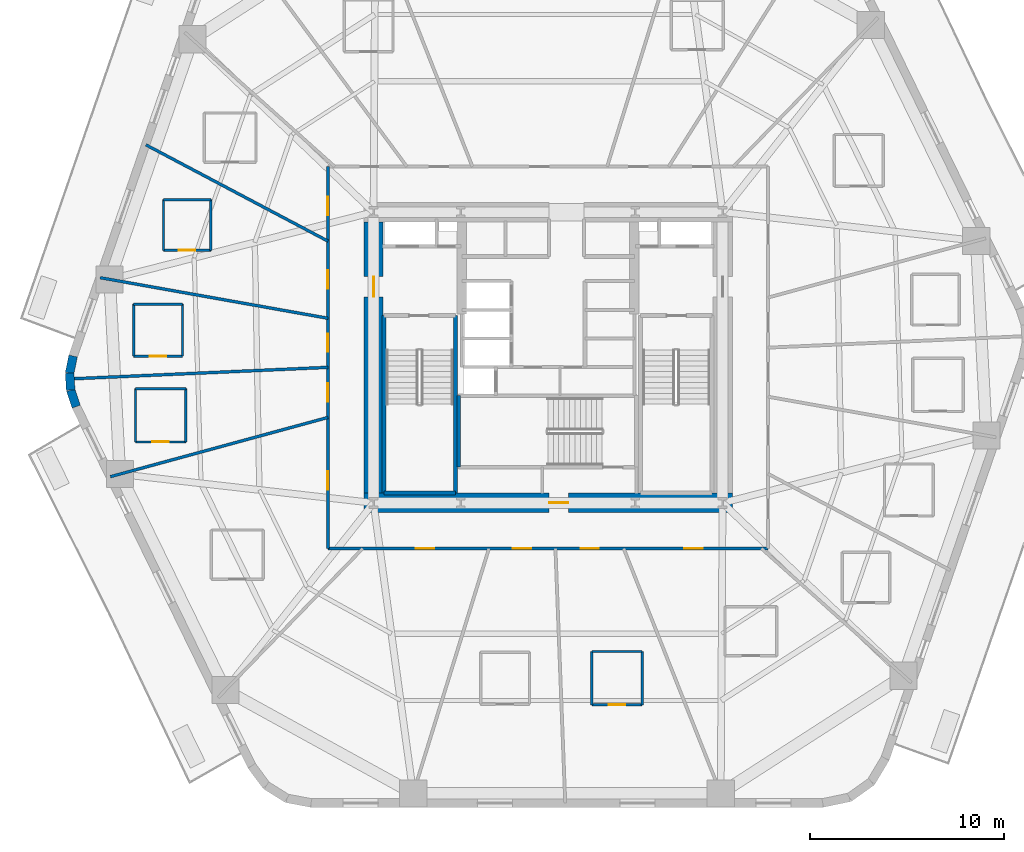
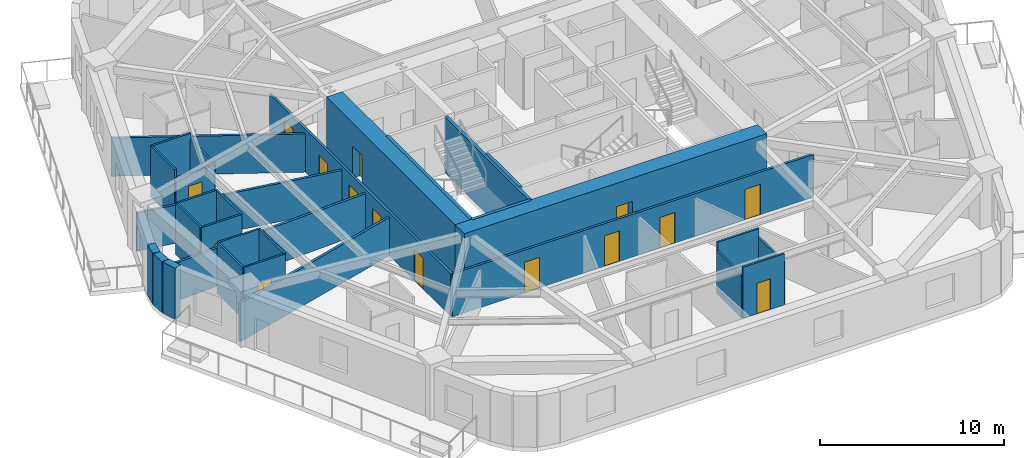
# One storey, part 3 of 10: 31 walls, 15 doors, 15 openings.
"""IFC4 building model written with IfcOpenShell, lengths in metres."""

from ifc_helpers import new_model, si_unit, direction, frame, frame_2d, origin, place, context, subcontext, project, spatial, rectangle, extrude, material, layer, layer_set, type_object, element, fill, save


model = new_model("IFC4")

# Units and contexts
model_context = context("Model", 3, precision=1e-05, world=origin(), true_north=direction((0.0, 1.0)))
body_context = subcontext(model_context, "Body", "Model", "MODEL_VIEW")
ifc_project = project(units=[si_unit("LENGTHUNIT", "METRE"), si_unit("AREAUNIT", "SQUARE_METRE"), si_unit("VOLUMEUNIT", "CUBIC_METRE"), si_unit("PLANEANGLEUNIT", "RADIAN"), si_unit("MASSUNIT", "GRAM", prefix="KILO")], contexts=[model_context])

# Site, building, storey
site_placement = place(None, origin())
site = spatial("IfcSite", under=ifc_project, at=site_placement, CompositionType="ELEMENT")
building_placement = place(site_placement, origin())
building = spatial("IfcBuilding", under=site, at=building_placement, Name="Kilnhurst Terrace Hotel", CompositionType="ELEMENT")
storey_placement = place(building_placement, frame((0.0, 0.0, 52.699951171875)))
storey = spatial("IfcBuildingStorey", under=building, at=storey_placement, Name="L11", CompositionType="ELEMENT", Elevation=52.699951171875)

# Walls
ifc_material_1 = material(Name="Precast concrete C40/50", Category="concrete")
ifc_layer_1 = layer(ifc_material_1, 0.449951171875, Name="Precast concrete C40/50")
ifc_layer_set_1 = layer_set([ifc_layer_1], Name="Precast concrete C40/50")
wall_type_1 = type_object("IfcWallType", Name="WL-BRK-450", PredefinedType="SOLIDWALL", material=ifc_layer_set_1)
wall_1_placement = place(storey_placement, frame((-24.49560546875, 0.07666015625, 0.0), z_axis=(0.0, 0.0, 1.0), x_axis=(-0.199570594521, -0.979883451132, 0.0)))
element("IfcWall", 1, at=wall_1_placement, inside=storey, type_object=wall_type_1, Name="L11 Rounded Corner Brick Wall C6.1", PredefinedType="SOLIDWALL", context=body_context, shape_type="SweptSolid", body=[
    extrude(rectangle(XDim=0.896728515625, YDim=0.449951171875, at=frame_2d((0.4482421875, 0.0))), origin(), (0.0, 0.0, 1.0), 3.400146484375),
])
wall_2_placement = place(storey_placement, frame((-24.674560546875, -0.802001953125, 0.0), z_axis=(0.0, 0.0, 1.0), x_axis=(0.061188874166, -0.998126205286, 0.0)))
element("IfcWall", 2, at=wall_2_placement, inside=storey, type_object=wall_type_1, Name="L11 Rounded Corner Brick Wall C6.2", PredefinedType="SOLIDWALL", context=body_context, shape_type="SweptSolid", body=[
    extrude(rectangle(XDim=0.8818359375, YDim=0.449951171875, at=frame_2d((0.44091796875, 0.0))), origin(), (0.0, 0.0, 1.0), 3.400146484375),
])
wall_3_placement = place(storey_placement, frame((-24.62060546875, -1.68212890625, 0.0), z_axis=(0.0, 0.0, 1.0), x_axis=(0.317697451681, -0.948192137278, 0.0)))
element("IfcWall", 3, at=wall_3_placement, inside=storey, type_object=wall_type_1, Name="L11 Rounded Corner Brick Wall C6.3", PredefinedType="SOLIDWALL", context=body_context, shape_type="SweptSolid", body=[
    extrude(rectangle(XDim=0.896728515625, YDim=0.449951171875, at=frame_2d((0.4482421875, 0.0))), origin(), (0.0, 0.0, 1.0), 3.400146484375),
])

# Wall, openings, doors
ifc_material_2 = material(Name="Acoustic Double-Gypsum Corridor Partition Assembly")
ifc_layer_2 = layer(ifc_material_2, 0.14990234375, Name="Acoustic Double-Gypsum Corridor Partition Assembly")
ifc_layer_set_2 = layer_set([ifc_layer_2], Name="Acoustic Double-Gypsum Corridor Partition Assembly")
wall_type_2 = type_object("IfcWallType", Name="WL-COR-150", PredefinedType="PARTITIONING", material=ifc_layer_set_2)
wall_4_placement = place(storey_placement, frame((-11.35009765625, -9.85009765625, 0.0), z_axis=(0.0, 0.0, 1.0), x_axis=(0.0, 1.0, 0.0)))
wall_4 = element("IfcWall", 4, at=wall_4_placement, inside=storey, type_object=wall_type_2, Name="L11 Interior Wall WL-L11-COR-01", PredefinedType="PARTITIONING", context=body_context, shape_type="SweptSolid", body=[
    extrude(rectangle(XDim=19.7001953125, YDim=0.14990234375, at=frame_2d((9.85009765625, 0.0))), origin(), (0.0, 0.0, 1.0), 2.840087890625),
])
opening_1_placement = place(wall_4_placement, frame((17.180908203125, 0.0, 0.0)))
opening_1 = element("IfcOpeningElement", 5, at=opening_1_placement, cuts=wall_4, Name="Opening D-60B", PredefinedType="OPENING", context=body_context, shape_type="SweptSolid", body=[
    extrude(rectangle(XDim=0.949951171875, YDim=2.030029296875, at=frame_2d((0.47509765625, 1.01513671875))), frame((0.0, 0.0849609375, 0.0), z_axis=(0.0, -1.0, 0.0), x_axis=(1.0, 0.0, 0.0)), (0.0, 0.0, 1.0), 0.169921875),
])
opening_2_placement = place(wall_4_placement, frame((13.403076171875, 0.0, 0.0)))
opening_2 = element("IfcOpeningElement", 6, at=opening_2_placement, cuts=wall_4, Name="Opening D-60B", PredefinedType="OPENING", context=body_context, shape_type="SweptSolid", body=[
    extrude(rectangle(XDim=0.949951171875, YDim=2.030029296875, at=frame_2d((0.47509765625, 1.01513671875))), frame((0.0, 0.0849609375, 0.0), z_axis=(0.0, -1.0, 0.0), x_axis=(1.0, 0.0, 0.0)), (0.0, 0.0, 1.0), 0.169921875),
])
opening_3_placement = place(wall_4_placement, frame((10.134033203125, 0.0, 0.0)))
opening_3 = element("IfcOpeningElement", 7, at=opening_3_placement, cuts=wall_4, Name="Opening D-60B", PredefinedType="OPENING", context=body_context, shape_type="SweptSolid", body=[
    extrude(rectangle(XDim=0.949951171875, YDim=2.030029296875, at=frame_2d((0.47509765625, 1.01513671875))), frame((0.0, 0.0849609375, 0.0), z_axis=(0.0, -1.0, 0.0), x_axis=(1.0, 0.0, 0.0)), (0.0, 0.0, 1.0), 0.169921875),
])
opening_4_placement = place(wall_4_placement, frame((7.571044921875, 0.0, 0.0)))
opening_4 = element("IfcOpeningElement", 8, at=opening_4_placement, cuts=wall_4, Name="Opening D-60B", PredefinedType="OPENING", context=body_context, shape_type="SweptSolid", body=[
    extrude(rectangle(XDim=0.949951171875, YDim=2.030029296875, at=frame_2d((0.47509765625, 1.01513671875))), frame((0.0, 0.0849609375, 0.0), z_axis=(0.0, -1.0, 0.0), x_axis=(1.0, 0.0, 0.0)), (0.0, 0.0, 1.0), 0.169921875),
])
opening_5_placement = place(wall_4_placement, frame((3.02392578125, 0.0, 0.0)))
opening_5 = element("IfcOpeningElement", 9, at=opening_5_placement, cuts=wall_4, Name="Opening D-60B", PredefinedType="OPENING", context=body_context, shape_type="SweptSolid", body=[
    extrude(rectangle(XDim=0.949951171875, YDim=2.030029296875, at=frame_2d((0.47509765625, 1.01513671875))), frame((0.0, 0.0849609375, 0.0), z_axis=(0.0, -1.0, 0.0), x_axis=(1.0, 0.0, 0.0)), (0.0, 0.0, 1.0), 0.169921875),
])
ifc_material_3 = material(Name="Acoustic Walnut Veneer Solid-Core Fire Door")
door_type_1 = type_object("IfcDoorType", Name="DR-FD60-950", OperationType="NOTDEFINED", PredefinedType="DOOR", material=ifc_material_3)
door_1_placement = place(opening_1_placement, origin())
door_1 = element("IfcDoor", 10, at=door_1_placement, inside=storey, type_object=door_type_1, Name="L11 Guest Room Entry Door 8", OperationType="SINGLE_SWING_RIGHT", OverallHeight=2.030029296875, OverallWidth=0.949951171875, PredefinedType="DOOR", context=body_context, shape_type="SweptSolid", body=[
    extrude(rectangle(XDim=0.949951171875, YDim=2.030029296875, at=frame_2d((0.47509765625, 1.01513671875))), frame((0.0, 0.02490234375, 0.0), z_axis=(0.0, -1.0, 0.0), x_axis=(1.0, 0.0, 0.0)), (0.0, 0.0, 1.0), 0.050048828125),
])
fill(opening_1, door_1)
door_2_placement = place(opening_2_placement, origin())
door_2 = element("IfcDoor", 11, at=door_2_placement, inside=storey, type_object=door_type_1, Name="L11 Guest Room Entry Door 9", OperationType="SINGLE_SWING_LEFT", OverallHeight=2.030029296875, OverallWidth=0.949951171875, PredefinedType="DOOR", context=body_context, shape_type="SweptSolid", body=[
    extrude(rectangle(XDim=0.949951171875, YDim=2.030029296875, at=frame_2d((0.47509765625, 1.01513671875))), frame((0.0, 0.02490234375, 0.0), z_axis=(0.0, -1.0, 0.0), x_axis=(1.0, 0.0, 0.0)), (0.0, 0.0, 1.0), 0.050048828125),
])
fill(opening_2, door_2)
door_3_placement = place(opening_3_placement, origin())
door_3 = element("IfcDoor", 12, at=door_3_placement, inside=storey, type_object=door_type_1, Name="L11 Guest Room Entry Door 10", OperationType="SINGLE_SWING_RIGHT", OverallHeight=2.030029296875, OverallWidth=0.949951171875, PredefinedType="DOOR", context=body_context, shape_type="SweptSolid", body=[
    extrude(rectangle(XDim=0.949951171875, YDim=2.030029296875, at=frame_2d((0.47509765625, 1.01513671875))), frame((0.0, 0.02490234375, 0.0), z_axis=(0.0, -1.0, 0.0), x_axis=(1.0, 0.0, 0.0)), (0.0, 0.0, 1.0), 0.050048828125),
])
fill(opening_3, door_3)
door_4_placement = place(opening_4_placement, origin())
door_4 = element("IfcDoor", 13, at=door_4_placement, inside=storey, type_object=door_type_1, Name="L11 Guest Room Entry Door 11", OperationType="SINGLE_SWING_LEFT", OverallHeight=2.030029296875, OverallWidth=0.949951171875, PredefinedType="DOOR", context=body_context, shape_type="SweptSolid", body=[
    extrude(rectangle(XDim=0.949951171875, YDim=2.030029296875, at=frame_2d((0.47509765625, 1.01513671875))), frame((0.0, 0.02490234375, 0.0), z_axis=(0.0, -1.0, 0.0), x_axis=(1.0, 0.0, 0.0)), (0.0, 0.0, 1.0), 0.050048828125),
])
fill(opening_4, door_4)
door_5_placement = place(opening_5_placement, origin())
door_5 = element("IfcDoor", 14, at=door_5_placement, inside=storey, type_object=door_type_1, Name="L11 Executive Suite Entry Door 12", OperationType="SINGLE_SWING_RIGHT", OverallHeight=2.030029296875, OverallWidth=0.949951171875, PredefinedType="DOOR", context=body_context, shape_type="SweptSolid", body=[
    extrude(rectangle(XDim=0.949951171875, YDim=2.030029296875, at=frame_2d((0.47509765625, 1.01513671875))), frame((0.0, 0.02490234375, 0.0), z_axis=(0.0, -1.0, 0.0), x_axis=(1.0, 0.0, 0.0)), (0.0, 0.0, 1.0), 0.050048828125),
])
fill(opening_5, door_5)

wall_5_placement = place(storey_placement, frame((11.35009765625, -9.85009765625, 0.0), z_axis=(0.0, 0.0, 1.0), x_axis=(-1.0, 0.0, 0.0)))
wall_5 = element("IfcWall", 15, at=wall_5_placement, inside=storey, type_object=wall_type_2, Name="L11 Interior Wall WL-L11-COR-04", PredefinedType="PARTITIONING", context=body_context, shape_type="SweptSolid", body=[
    extrude(rectangle(XDim=22.7001953125, YDim=0.14990234375, at=frame_2d((11.35009765625, 0.0))), origin(), (0.0, 0.0, 1.0), 2.840087890625),
])
opening_6_placement = place(wall_5_placement, frame((17.22509765625, 0.0, 0.0)))
opening_6 = element("IfcOpeningElement", 16, at=opening_6_placement, cuts=wall_5, Name="Opening D-60B", PredefinedType="OPENING", context=body_context, shape_type="SweptSolid", body=[
    extrude(rectangle(XDim=0.949951171875, YDim=2.030029296875, at=frame_2d((0.47509765625, 1.01513671875))), frame((0.0, 0.0849609375, 0.0), z_axis=(0.0, -1.0, 0.0), x_axis=(1.0, 0.0, 0.0)), (0.0, 0.0, 1.0), 0.169921875),
])
opening_7_placement = place(wall_5_placement, frame((12.214111328125, 0.0, 0.0)))
opening_7 = element("IfcOpeningElement", 17, at=opening_7_placement, cuts=wall_5, Name="Opening D-60B", PredefinedType="OPENING", context=body_context, shape_type="SweptSolid", body=[
    extrude(rectangle(XDim=0.949951171875, YDim=2.030029296875, at=frame_2d((0.47509765625, 1.01513671875))), frame((0.0, 0.0849609375, 0.0), z_axis=(0.0, -1.0, 0.0), x_axis=(1.0, 0.0, 0.0)), (0.0, 0.0, 1.0), 0.169921875),
])
opening_8_placement = place(wall_5_placement, frame((8.72509765625, 0.0, 0.0)))
opening_8 = element("IfcOpeningElement", 18, at=opening_8_placement, cuts=wall_5, Name="Opening D-60B", PredefinedType="OPENING", context=body_context, shape_type="SweptSolid", body=[
    extrude(rectangle(XDim=0.949951171875, YDim=2.030029296875, at=frame_2d((0.47509765625, 1.01513671875))), frame((0.0, 0.0849609375, 0.0), z_axis=(0.0, -1.0, 0.0), x_axis=(1.0, 0.0, 0.0)), (0.0, 0.0, 1.0), 0.169921875),
])
opening_9_placement = place(wall_5_placement, frame((3.368896484375, 0.0, 0.0)))
opening_9 = element("IfcOpeningElement", 19, at=opening_9_placement, cuts=wall_5, Name="Opening D-60B", PredefinedType="OPENING", context=body_context, shape_type="SweptSolid", body=[
    extrude(rectangle(XDim=0.949951171875, YDim=2.030029296875, at=frame_2d((0.47509765625, 1.01513671875))), frame((0.0, 0.0849609375, 0.0), z_axis=(0.0, -1.0, 0.0), x_axis=(1.0, 0.0, 0.0)), (0.0, 0.0, 1.0), 0.169921875),
])
door_6_placement = place(opening_6_placement, origin())
door_6 = element("IfcDoor", 20, at=door_6_placement, inside=storey, type_object=door_type_1, Name="L11 Private Dining Salon Door", OperationType="SINGLE_SWING_LEFT", OverallHeight=2.030029296875, OverallWidth=0.949951171875, PredefinedType="DOOR", context=body_context, shape_type="SweptSolid", body=[
    extrude(rectangle(XDim=0.949951171875, YDim=2.030029296875, at=frame_2d((0.47509765625, 1.01513671875))), frame((0.0, 0.02490234375, 0.0), z_axis=(0.0, -1.0, 0.0), x_axis=(1.0, 0.0, 0.0)), (0.0, 0.0, 1.0), 0.050048828125),
])
fill(opening_6, door_6)
door_7_placement = place(opening_7_placement, origin())
door_7 = element("IfcDoor", 21, at=door_7_placement, inside=storey, type_object=door_type_1, Name="L11 Guest Room Entry Door 14", OperationType="SINGLE_SWING_RIGHT", OverallHeight=2.030029296875, OverallWidth=0.949951171875, PredefinedType="DOOR", context=body_context, shape_type="SweptSolid", body=[
    extrude(rectangle(XDim=0.949951171875, YDim=2.030029296875, at=frame_2d((0.47509765625, 1.01513671875))), frame((0.0, 0.02490234375, 0.0), z_axis=(0.0, -1.0, 0.0), x_axis=(1.0, 0.0, 0.0)), (0.0, 0.0, 1.0), 0.050048828125),
])
fill(opening_7, door_7)
door_8_placement = place(opening_8_placement, origin())
door_8 = element("IfcDoor", 22, at=door_8_placement, inside=storey, type_object=door_type_1, Name="L11 Guest Room Entry Door 15", OperationType="SINGLE_SWING_LEFT", OverallHeight=2.030029296875, OverallWidth=0.949951171875, PredefinedType="DOOR", context=body_context, shape_type="SweptSolid", body=[
    extrude(rectangle(XDim=0.949951171875, YDim=2.030029296875, at=frame_2d((0.47509765625, 1.01513671875))), frame((0.0, 0.02490234375, 0.0), z_axis=(0.0, -1.0, 0.0), x_axis=(1.0, 0.0, 0.0)), (0.0, 0.0, 1.0), 0.050048828125),
])
fill(opening_8, door_8)
door_9_placement = place(opening_9_placement, origin())
door_9 = element("IfcDoor", 23, at=door_9_placement, inside=storey, type_object=door_type_1, Name="L11 Executive Suite Entry Door 16", OperationType="SINGLE_SWING_RIGHT", OverallHeight=2.030029296875, OverallWidth=0.949951171875, PredefinedType="DOOR", context=body_context, shape_type="SweptSolid", body=[
    extrude(rectangle(XDim=0.949951171875, YDim=2.030029296875, at=frame_2d((0.47509765625, 1.01513671875))), frame((0.0, 0.02490234375, 0.0), z_axis=(0.0, -1.0, 0.0), x_axis=(1.0, 0.0, 0.0)), (0.0, 0.0, 1.0), 0.050048828125),
])
fill(opening_9, door_9)

# Wall, opening, door
ifc_material_4 = material(Name="Concrete C80/95", Category="concrete")
ifc_layer_3 = layer(ifc_material_4, 1.0, Name="Concrete C80/95")
ifc_layer_set_3 = layer_set([ifc_layer_3], Name="Concrete C80/95")
wall_type_3 = type_object("IfcWallType", Name="WL-CORE-1000", PredefinedType="SHEAR", material=ifc_layer_set_3)
wall_6_placement = place(storey_placement, frame((-9.5, -7.5, 0.0), z_axis=(0.0, 0.0, 1.0), x_axis=(1.0, 0.0, 0.0)))
wall_6 = element("IfcWall", 24, at=wall_6_placement, inside=storey, type_object=wall_type_3, Name="L11 Core South Shear Wall", PredefinedType="SHEAR", context=body_context, shape_type="SweptSolid", body=[
    extrude(rectangle(XDim=19.0, YDim=1.0, at=frame_2d((9.5, 0.0))), origin(), (0.0, 0.0, 1.0), 3.699951171875),
])
opening_10_placement = place(wall_6_placement, frame((9.550048828125, 0.0, 0.0)))
opening_10 = element("IfcOpeningElement", 25, at=opening_10_placement, cuts=wall_6, Name="Opening D-90B", PredefinedType="OPENING", context=body_context, shape_type="SweptSolid", body=[
    extrude(rectangle(XDim=1.0, YDim=2.14990234375, at=frame_2d((0.5, 1.074951171875))), frame((0.0, 0.510009765625, 0.0), z_axis=(0.0, -1.0, 0.0), x_axis=(1.0, 0.0, 0.0)), (0.0, 0.0, 1.0), 1.02001953125),
])
ifc_material_5 = material(Name="Painted Hollow Metal Steel ASTM A36 Fire Door", Category="steel")
door_type_2 = type_object("IfcDoorType", Name="DR-FD90-1000", OperationType="NOTDEFINED", PredefinedType="DOOR", material=ifc_material_5)
door_10_placement = place(opening_10_placement, origin())
door_10 = element("IfcDoor", 26, at=door_10_placement, inside=storey, type_object=door_type_2, Name="L11 Stair ST-3 Corridor Door", OperationType="SINGLE_SWING_RIGHT", OverallHeight=2.14990234375, OverallWidth=1.0, PredefinedType="DOOR", context=body_context, shape_type="SweptSolid", body=[
    extrude(rectangle(XDim=1.0, YDim=2.14990234375, at=frame_2d((0.5, 1.074951171875))), frame((0.0, 0.02490234375, 0.0), z_axis=(0.0, -1.0, 0.0), x_axis=(1.0, 0.0, 0.0)), (0.0, 0.0, 1.0), 0.050048828125),
])
fill(opening_10, door_10)

wall_7_placement = place(storey_placement, frame((-9.0, -7.0, 0.0), z_axis=(0.0, 0.0, 1.0), x_axis=(0.0, 1.0, 0.0)))
wall_7 = element("IfcWall", 27, at=wall_7_placement, inside=storey, type_object=wall_type_3, Name="L11 Core West Shear Wall", PredefinedType="SHEAR", context=body_context, shape_type="SweptSolid", body=[
    extrude(rectangle(XDim=14.0, YDim=1.0, at=frame_2d((7.0, 0.0))), origin(), (0.0, 0.0, 1.0), 3.699951171875),
])
opening_11_placement = place(wall_7_placement, frame((10.125, 0.0, 0.0)))
opening_11 = element("IfcOpeningElement", 28, at=opening_11_placement, cuts=wall_7, Name="Opening D-90A", PredefinedType="OPENING", context=body_context, shape_type="SweptSolid", body=[
    extrude(rectangle(XDim=1.050048828125, YDim=2.14990234375, at=frame_2d((0.52490234375, 1.074951171875))), frame((0.0, 0.510009765625, 0.0), z_axis=(0.0, -1.0, 0.0), x_axis=(1.0, 0.0, 0.0)), (0.0, 0.0, 1.0), 1.02001953125),
])
door_type_3 = type_object("IfcDoorType", Name="DR-FD90-1050", OperationType="NOTDEFINED", PredefinedType="DOOR", material=ifc_material_5)
door_11_placement = place(opening_11_placement, origin())
door_11 = element("IfcDoor", 29, at=door_11_placement, inside=storey, type_object=door_type_3, Name="L11 West Firefighting Lobby Door", OperationType="SINGLE_SWING_RIGHT", OverallHeight=2.14990234375, OverallWidth=1.050048828125, PredefinedType="DOOR", context=body_context, shape_type="SweptSolid", body=[
    extrude(rectangle(XDim=1.050048828125, YDim=2.14990234375, at=frame_2d((0.52490234375, 1.074951171875))), frame((0.0, 0.02490234375, 0.0), z_axis=(0.0, -1.0, 0.0), x_axis=(1.0, 0.0, 0.0)), (0.0, 0.0, 1.0), 0.050048828125),
])
fill(opening_11, door_11)

# Walls
ifc_material_6 = material(Name="STC-58 Acoustic Twin-Frame Guestroom Demising Partition")
ifc_layer_4 = layer(ifc_material_6, 0.14990234375, Name="STC-58 Acoustic Twin-Frame Guestroom Demising Partition")
ifc_layer_set_4 = layer_set([ifc_layer_4], Name="STC-58 Acoustic Twin-Frame Guestroom Demising Partition")
wall_type_4 = type_object("IfcWallType", Name="WL-DEM-150", PredefinedType="PARTITIONING", material=ifc_layer_set_4)
wall_8_placement = place(storey_placement, frame((-11.35009765625, 6.00146484375, 0.0), z_axis=(0.0, 0.0, 1.0), x_axis=(-0.884022077319, 0.467445148453, 0.0)))
element("IfcWall", 30, at=wall_8_placement, inside=storey, type_object=wall_type_4, Name="L11 Interior Wall WL-L11-DEM-MID05-09-1", PredefinedType="PARTITIONING", context=body_context, shape_type="SweptSolid", body=[
    extrude(rectangle(XDim=10.621337890625, YDim=0.14990234375, at=frame_2d((5.310546875, 0.0))), origin(), (0.0, 0.0, 1.0), 2.5400390625),
])
wall_9_placement = place(storey_placement, frame((-11.35009765625, 2.022705078125, 0.0), z_axis=(0.0, 0.0, 1.0), x_axis=(-0.984493741877, 0.17541970301, 0.0)))
element("IfcWall", 31, at=wall_9_placement, inside=storey, type_object=wall_type_4, Name="L11 Interior Wall WL-L11-DEM-COL06-10-1", PredefinedType="PARTITIONING", context=body_context, shape_type="SweptSolid", body=[
    extrude(rectangle(XDim=11.93701171875, YDim=0.14990234375, at=frame_2d((5.968505859375, 0.0))), origin(), (0.0, 0.0, 1.0), 2.5400390625),
])
wall_10_placement = place(storey_placement, frame((-11.35009765625, -0.50830078125, 0.0), z_axis=(0.0, 0.0, 1.0), x_axis=(-0.998998237556, -0.044749540337, 0.0)))
element("IfcWall", 32, at=wall_10_placement, inside=storey, type_object=wall_type_4, Name="L11 Interior Wall WL-L11-DEM-MID06-11-1", PredefinedType="PARTITIONING", context=body_context, shape_type="SweptSolid", body=[
    extrude(rectangle(XDim=13.1591796875, YDim=0.14990234375, at=frame_2d((6.57958984375, 0.0))), origin(), (0.0, 0.0, 1.0), 2.5400390625),
])
wall_11_placement = place(storey_placement, frame((-11.35009765625, -3.0908203125, 0.0), z_axis=(0.0, 0.0, 1.0), x_axis=(-0.964859685283, -0.262765651704, 0.0)))
element("IfcWall", 33, at=wall_11_placement, inside=storey, type_object=wall_type_4, Name="L11 Interior Wall WL-L11-DEM-COL07-12-1", PredefinedType="PARTITIONING", context=body_context, shape_type="SweptSolid", body=[
    extrude(rectangle(XDim=11.62890625, YDim=0.14990234375, at=frame_2d((5.814453125, 0.0))), origin(), (0.0, 0.0, 1.0), 2.5400390625),
])

# Wall, opening, door
ifc_material_7 = material(Name="120 mm Moisture-Resistant Tile-Backed Bathroom Partition")
ifc_layer_5 = layer(ifc_material_7, 0.1201171875, Name="120 mm Moisture-Resistant Tile-Backed Bathroom Partition")
ifc_layer_set_5 = layer_set([ifc_layer_5], Name="120 mm Moisture-Resistant Tile-Backed Bathroom Partition")
wall_type_5 = type_object("IfcWallType", Name="WL-PART-120", PredefinedType="PARTITIONING", material=ifc_layer_set_5)
wall_12_placement = place(storey_placement, frame((-19.833984375, 5.528076171875, 0.0), z_axis=(0.0, 0.0, 1.0), x_axis=(1.0, 0.0, 0.0)))
wall_12 = element("IfcWall", 34, at=wall_12_placement, inside=storey, type_object=wall_type_5, Name="L11 Interior Wall WL-L11-BTH-09-1", PredefinedType="PARTITIONING", context=body_context, shape_type="SweptSolid", body=[
    extrude(rectangle(XDim=2.43994140625, YDim=0.1201171875, at=frame_2d((1.219970703125, 0.0))), origin(), (0.0, 0.0, 1.0), 2.840087890625),
])
opening_12_placement = place(wall_12_placement, frame((0.794921875, 0.0, 0.0)))
opening_12 = element("IfcOpeningElement", 35, at=opening_12_placement, cuts=wall_12, Name="Opening D-08A", PredefinedType="OPENING", context=body_context, shape_type="SweptSolid", body=[
    extrude(rectangle(XDim=0.85009765625, YDim=2.030029296875, at=frame_2d((0.425048828125, 1.01513671875))), frame((0.0, 0.070068359375, 0.0), z_axis=(0.0, -1.0, 0.0), x_axis=(1.0, 0.0, 0.0)), (0.0, 0.0, 1.0), 0.14013671875),
])
ifc_material_8 = material(Name="Moisture-Resistant Lacquered En-suite Bathroom Door")
door_type_4 = type_object("IfcDoorType", Name="DR-INT-850", OperationType="NOTDEFINED", PredefinedType="DOOR", material=ifc_material_8)
door_12_placement = place(opening_12_placement, origin())
door_12 = element("IfcDoor", 36, at=door_12_placement, inside=storey, type_object=door_type_4, Name="L11 En-suite Bathroom Door 9", OperationType="SINGLE_SWING_RIGHT", OverallHeight=2.030029296875, OverallWidth=0.85009765625, PredefinedType="DOOR", context=body_context, shape_type="SweptSolid", body=[
    extrude(rectangle(XDim=0.85009765625, YDim=2.030029296875, at=frame_2d((0.425048828125, 1.01513671875))), frame((0.0, 0.02490234375, 0.0), z_axis=(0.0, -1.0, 0.0), x_axis=(1.0, 0.0, 0.0)), (0.0, 0.0, 1.0), 0.050048828125),
])
fill(opening_12, door_12)

# Walls
wall_13_placement = place(storey_placement, frame((-17.39404296875, 5.528076171875, 0.0), z_axis=(0.0, 0.0, 1.0), x_axis=(0.0, 1.0, 0.0)))
element("IfcWall", 37, at=wall_13_placement, inside=storey, type_object=wall_type_5, Name="L11 Interior Wall WL-L11-BTH-09-2", PredefinedType="PARTITIONING", context=body_context, shape_type="SweptSolid", body=[
    extrude(rectangle(XDim=2.60986328125, YDim=0.1201171875, at=frame_2d((1.304931640625, 0.0))), origin(), (0.0, 0.0, 1.0), 2.972412109375),
])
wall_14_placement = place(storey_placement, frame((-17.39404296875, 8.137939453125, 0.0), z_axis=(0.0, 0.0, 1.0), x_axis=(-1.0, 0.0, 0.0)))
element("IfcWall", 38, at=wall_14_placement, inside=storey, type_object=wall_type_5, Name="L11 Interior Wall WL-L11-BTH-09-3", PredefinedType="PARTITIONING", context=body_context, shape_type="SweptSolid", body=[
    extrude(rectangle(XDim=2.43994140625, YDim=0.1201171875, at=frame_2d((1.219970703125, 0.0))), origin(), (0.0, 0.0, 1.0), 3.400146484375),
])
wall_15_placement = place(storey_placement, frame((-19.833984375, 8.137939453125, 0.0), z_axis=(0.0, 0.0, 1.0), x_axis=(0.0, -1.0, 0.0)))
element("IfcWall", 39, at=wall_15_placement, inside=storey, type_object=wall_type_5, Name="L11 Interior Wall WL-L11-BTH-09-4", PredefinedType="PARTITIONING", context=body_context, shape_type="SweptSolid", body=[
    extrude(rectangle(XDim=2.60986328125, YDim=0.1201171875, at=frame_2d((1.304931640625, 0.0))), origin(), (0.0, 0.0, 1.0), 3.400146484375),
])

# Wall, opening, door
wall_16_placement = place(storey_placement, frame((-21.3740234375, 0.06689453125, 0.0), z_axis=(0.0, 0.0, 1.0), x_axis=(1.0, 0.0, 0.0)))
wall_16 = element("IfcWall", 40, at=wall_16_placement, inside=storey, type_object=wall_type_5, Name="L11 Interior Wall WL-L11-BTH-10-1", PredefinedType="PARTITIONING", context=body_context, shape_type="SweptSolid", body=[
    extrude(rectangle(XDim=2.52001953125, YDim=0.1201171875, at=frame_2d((1.260009765625, 0.0))), origin(), (0.0, 0.0, 1.0), 3.400146484375),
])
opening_13_placement = place(wall_16_placement, frame((0.8349609375, 0.0, 0.0)))
opening_13 = element("IfcOpeningElement", 41, at=opening_13_placement, cuts=wall_16, Name="Opening D-08A", PredefinedType="OPENING", context=body_context, shape_type="SweptSolid", body=[
    extrude(rectangle(XDim=0.85009765625, YDim=2.030029296875, at=frame_2d((0.425048828125, 1.01513671875))), frame((0.0, 0.070068359375, 0.0), z_axis=(0.0, -1.0, 0.0), x_axis=(1.0, 0.0, 0.0)), (0.0, 0.0, 1.0), 0.14013671875),
])
door_13_placement = place(opening_13_placement, origin())
door_13 = element("IfcDoor", 42, at=door_13_placement, inside=storey, type_object=door_type_4, Name="L11 En-suite Bathroom Door 10", OperationType="SINGLE_SWING_LEFT", OverallHeight=2.030029296875, OverallWidth=0.85009765625, PredefinedType="DOOR", context=body_context, shape_type="SweptSolid", body=[
    extrude(rectangle(XDim=0.85009765625, YDim=2.030029296875, at=frame_2d((0.425048828125, 1.01513671875))), frame((0.0, 0.02490234375, 0.0), z_axis=(0.0, -1.0, 0.0), x_axis=(1.0, 0.0, 0.0)), (0.0, 0.0, 1.0), 0.050048828125),
])
fill(opening_13, door_13)

# Walls
wall_17_placement = place(storey_placement, frame((-18.85400390625, 0.06689453125, 0.0), z_axis=(0.0, 0.0, 1.0), x_axis=(0.0, 1.0, 0.0)))
element("IfcWall", 43, at=wall_17_placement, inside=storey, type_object=wall_type_5, Name="L11 Interior Wall WL-L11-BTH-10-2", PredefinedType="PARTITIONING", context=body_context, shape_type="SweptSolid", body=[
    extrude(rectangle(XDim=2.68017578125, YDim=0.1201171875, at=frame_2d((1.340087890625, 0.0))), origin(), (0.0, 0.0, 1.0), 3.400146484375),
])
wall_18_placement = place(storey_placement, frame((-18.85400390625, 2.7470703125, 0.0), z_axis=(0.0, 0.0, 1.0), x_axis=(-1.0, 0.0, 0.0)))
element("IfcWall", 44, at=wall_18_placement, inside=storey, type_object=wall_type_5, Name="L11 Interior Wall WL-L11-BTH-10-3", PredefinedType="PARTITIONING", context=body_context, shape_type="SweptSolid", body=[
    extrude(rectangle(XDim=2.52001953125, YDim=0.1201171875, at=frame_2d((1.260009765625, 0.0))), origin(), (0.0, 0.0, 1.0), 3.400146484375),
])
wall_19_placement = place(storey_placement, frame((-21.3740234375, 2.7470703125, 0.0), z_axis=(0.0, 0.0, 1.0), x_axis=(0.0, -1.0, 0.0)))
element("IfcWall", 45, at=wall_19_placement, inside=storey, type_object=wall_type_5, Name="L11 Interior Wall WL-L11-BTH-10-4", PredefinedType="PARTITIONING", context=body_context, shape_type="SweptSolid", body=[
    extrude(rectangle(XDim=2.68017578125, YDim=0.1201171875, at=frame_2d((1.340087890625, 0.0))), origin(), (0.0, 0.0, 1.0), 3.400146484375),
])

# Wall, opening, door
wall_20_placement = place(storey_placement, frame((-21.280029296875, -4.35595703125, 0.0), z_axis=(0.0, 0.0, 1.0), x_axis=(1.0, 0.0, 0.0)))
wall_20 = element("IfcWall", 46, at=wall_20_placement, inside=storey, type_object=wall_type_5, Name="L11 Interior Wall WL-L11-BTH-11-1", PredefinedType="PARTITIONING", context=body_context, shape_type="SweptSolid", body=[
    extrude(rectangle(XDim=2.60009765625, YDim=0.1201171875, at=frame_2d((1.300048828125, 0.0))), origin(), (0.0, 0.0, 1.0), 3.400146484375),
])
opening_14_placement = place(wall_20_placement, frame((0.875, 0.0, 0.0)))
opening_14 = element("IfcOpeningElement", 47, at=opening_14_placement, cuts=wall_20, Name="Opening D-08A", PredefinedType="OPENING", context=body_context, shape_type="SweptSolid", body=[
    extrude(rectangle(XDim=0.85009765625, YDim=2.030029296875, at=frame_2d((0.425048828125, 1.01513671875))), frame((0.0, 0.070068359375, 0.0), z_axis=(0.0, -1.0, 0.0), x_axis=(1.0, 0.0, 0.0)), (0.0, 0.0, 1.0), 0.14013671875),
])
door_14_placement = place(opening_14_placement, origin())
door_14 = element("IfcDoor", 48, at=door_14_placement, inside=storey, type_object=door_type_4, Name="L11 En-suite Bathroom Door 11", OperationType="SINGLE_SWING_RIGHT", OverallHeight=2.030029296875, OverallWidth=0.85009765625, PredefinedType="DOOR", context=body_context, shape_type="SweptSolid", body=[
    extrude(rectangle(XDim=0.85009765625, YDim=2.030029296875, at=frame_2d((0.425048828125, 1.01513671875))), frame((0.0, 0.02490234375, 0.0), z_axis=(0.0, -1.0, 0.0), x_axis=(1.0, 0.0, 0.0)), (0.0, 0.0, 1.0), 0.050048828125),
])
fill(opening_14, door_14)

# Walls
wall_21_placement = place(storey_placement, frame((-18.679931640625, -4.35595703125, 0.0), z_axis=(0.0, 0.0, 1.0), x_axis=(0.0, 1.0, 0.0)))
element("IfcWall", 49, at=wall_21_placement, inside=storey, type_object=wall_type_5, Name="L11 Interior Wall WL-L11-BTH-11-2", PredefinedType="PARTITIONING", context=body_context, shape_type="SweptSolid", body=[
    extrude(rectangle(XDim=2.75, YDim=0.1201171875, at=frame_2d((1.375, 0.0))), origin(), (0.0, 0.0, 1.0), 3.400146484375),
])
wall_22_placement = place(storey_placement, frame((-18.679931640625, -1.60595703125, 0.0), z_axis=(0.0, 0.0, 1.0), x_axis=(-1.0, 0.0, 0.0)))
element("IfcWall", 50, at=wall_22_placement, inside=storey, type_object=wall_type_5, Name="L11 Interior Wall WL-L11-BTH-11-3", PredefinedType="PARTITIONING", context=body_context, shape_type="SweptSolid", body=[
    extrude(rectangle(XDim=2.60009765625, YDim=0.1201171875, at=frame_2d((1.300048828125, 0.0))), origin(), (0.0, 0.0, 1.0), 3.400146484375),
])
wall_23_placement = place(storey_placement, frame((-21.280029296875, -1.60595703125, 0.0), z_axis=(0.0, 0.0, 1.0), x_axis=(0.0, -1.0, 0.0)))
element("IfcWall", 51, at=wall_23_placement, inside=storey, type_object=wall_type_5, Name="L11 Interior Wall WL-L11-BTH-11-4", PredefinedType="PARTITIONING", context=body_context, shape_type="SweptSolid", body=[
    extrude(rectangle(XDim=2.75, YDim=0.1201171875, at=frame_2d((1.375, 0.0))), origin(), (0.0, 0.0, 1.0), 3.400146484375),
])

# Wall, opening, door
wall_24_placement = place(storey_placement, frame((2.2548828125, -17.912109375, 0.0), z_axis=(0.0, 0.0, 1.0), x_axis=(1.0, 0.0, 0.0)))
wall_24 = element("IfcWall", 52, at=wall_24_placement, inside=storey, type_object=wall_type_5, Name="L11 Interior Wall WL-L11-BTH-15-1", PredefinedType="PARTITIONING", context=body_context, shape_type="SweptSolid", body=[
    extrude(rectangle(XDim=2.60009765625, YDim=0.1201171875, at=frame_2d((1.300048828125, 0.0))), origin(), (0.0, 0.0, 1.0), 3.400146484375),
])
opening_15_placement = place(wall_24_placement, frame((0.875, 0.0, 0.0)))
opening_15 = element("IfcOpeningElement", 53, at=opening_15_placement, cuts=wall_24, Name="Opening D-08A", PredefinedType="OPENING", context=body_context, shape_type="SweptSolid", body=[
    extrude(rectangle(XDim=0.85009765625, YDim=2.030029296875, at=frame_2d((0.425048828125, 1.01513671875))), frame((0.0, 0.070068359375, 0.0), z_axis=(0.0, -1.0, 0.0), x_axis=(1.0, 0.0, 0.0)), (0.0, 0.0, 1.0), 0.14013671875),
])
door_15_placement = place(opening_15_placement, origin())
door_15 = element("IfcDoor", 54, at=door_15_placement, inside=storey, type_object=door_type_4, Name="L11 En-suite Bathroom Door 15", OperationType="SINGLE_SWING_RIGHT", OverallHeight=2.030029296875, OverallWidth=0.85009765625, PredefinedType="DOOR", context=body_context, shape_type="SweptSolid", body=[
    extrude(rectangle(XDim=0.85009765625, YDim=2.030029296875, at=frame_2d((0.425048828125, 1.01513671875))), frame((0.0, 0.02490234375, 0.0), z_axis=(0.0, -1.0, 0.0), x_axis=(1.0, 0.0, 0.0)), (0.0, 0.0, 1.0), 0.050048828125),
])
fill(opening_15, door_15)

# Walls
wall_25_placement = place(storey_placement, frame((4.85498046875, -17.912109375, 0.0), z_axis=(0.0, 0.0, 1.0), x_axis=(0.0, 1.0, 0.0)))
element("IfcWall", 55, at=wall_25_placement, inside=storey, type_object=wall_type_5, Name="L11 Interior Wall WL-L11-BTH-15-2", PredefinedType="PARTITIONING", context=body_context, shape_type="SweptSolid", body=[
    extrude(rectangle(XDim=2.75, YDim=0.1201171875, at=frame_2d((1.375, 0.0))), origin(), (0.0, 0.0, 1.0), 2.840576171875),
])
wall_26_placement = place(storey_placement, frame((4.85498046875, -15.162109375, 0.0), z_axis=(0.0, 0.0, 1.0), x_axis=(-1.0, 0.0, 0.0)))
element("IfcWall", 56, at=wall_26_placement, inside=storey, type_object=wall_type_5, Name="L11 Interior Wall WL-L11-BTH-15-3", PredefinedType="PARTITIONING", context=body_context, shape_type="SweptSolid", body=[
    extrude(rectangle(XDim=2.60009765625, YDim=0.1201171875, at=frame_2d((1.300048828125, 0.0))), origin(), (0.0, 0.0, 1.0), 3.400146484375),
])
wall_27_placement = place(storey_placement, frame((2.2548828125, -15.162109375, 0.0), z_axis=(0.0, 0.0, 1.0), x_axis=(0.0, -1.0, 0.0)))
element("IfcWall", 57, at=wall_27_placement, inside=storey, type_object=wall_type_5, Name="L11 Interior Wall WL-L11-BTH-15-4", PredefinedType="PARTITIONING", context=body_context, shape_type="SweptSolid", body=[
    extrude(rectangle(XDim=2.75, YDim=0.1201171875, at=frame_2d((1.375, 0.0))), origin(), (0.0, 0.0, 1.0), 2.840576171875),
])
ifc_material_9 = material(Name="Concrete C50/60", Category="concrete")
ifc_layer_6 = layer(ifc_material_9, 0.199951171875, Name="Concrete C50/60")
ifc_layer_set_6 = layer_set([ifc_layer_6], Name="Concrete C50/60")
wall_type_6 = type_object("IfcWallType", Name="WL-STAIR-RC-200", PredefinedType="SHEAR", material=ifc_layer_set_6)
for number, where, z_axis, x_axis, name in (
    (58, (-8.4580078125, -6.985107421875, 0.0), (0.0, 0.0, 1.0), (0.0, 1.0, 0.0), "L11 Structural Stair Shaft Wall WL-L11-ST1-W"),
    (59, (-4.77197265625, -6.985107421875, 0.0), (0.0, 0.0, 1.0), (0.0, 1.0, 0.0), "L11 Structural Stair Shaft Wall WL-L11-ST1-E"),
):
    element("IfcWall", number, at=place(storey_placement, frame(where, z_axis=z_axis, x_axis=x_axis)), inside=storey, type_object=wall_type_6, Name=name, PredefinedType="SHEAR", context=body_context, shape_type="SweptSolid", body=[
        extrude(rectangle(XDim=9.14306640625, YDim=0.199951171875, at=frame_2d((4.571533203125, 0.0))), origin(), (0.0, 0.0, 1.0), 3.699951171875),
    ])
for number, where, z_axis, x_axis, name in (
    (60, (-8.4580078125, -6.985107421875, 0.0), (0.0, 0.0, 1.0), (1.0, 0.0, 0.0), "L11 Structural Stair Shaft Wall WL-L11-ST1-S"),
    (61, (-4.60791015625, -5.657958984375, 0.0), (0.0, 0.0, 1.0), (0.0, 1.0, 0.0), "L11 Structural Stair Shaft Wall WL-L11-ST3-W"),
):
    element("IfcWall", number, at=place(storey_placement, frame(where, z_axis=z_axis, x_axis=x_axis)), inside=storey, type_object=wall_type_6, Name=name, PredefinedType="SHEAR", context=body_context, shape_type="SweptSolid", body=[
        extrude(rectangle(XDim=3.68603515625, YDim=0.199951171875, at=frame_2d((1.843017578125, 0.0))), origin(), (0.0, 0.0, 1.0), 3.699951171875),
    ])

save(model, "model.ifc")
